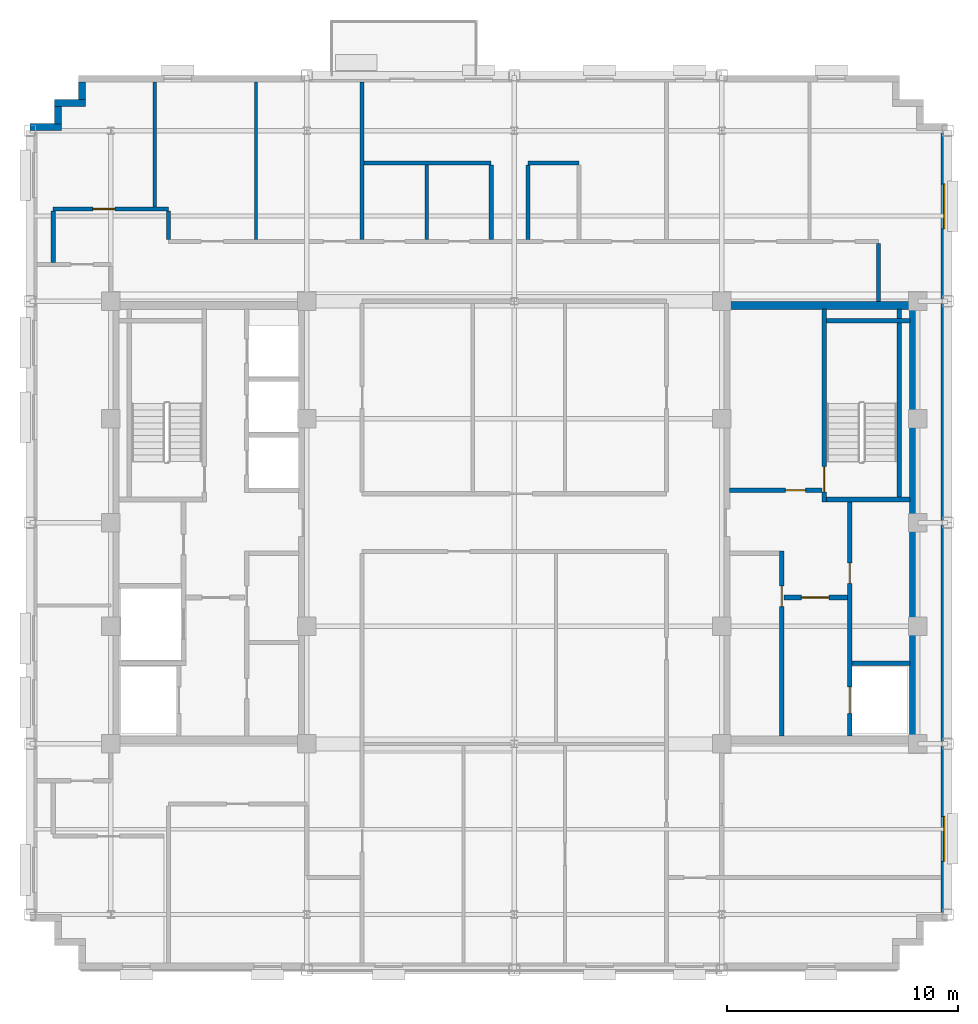
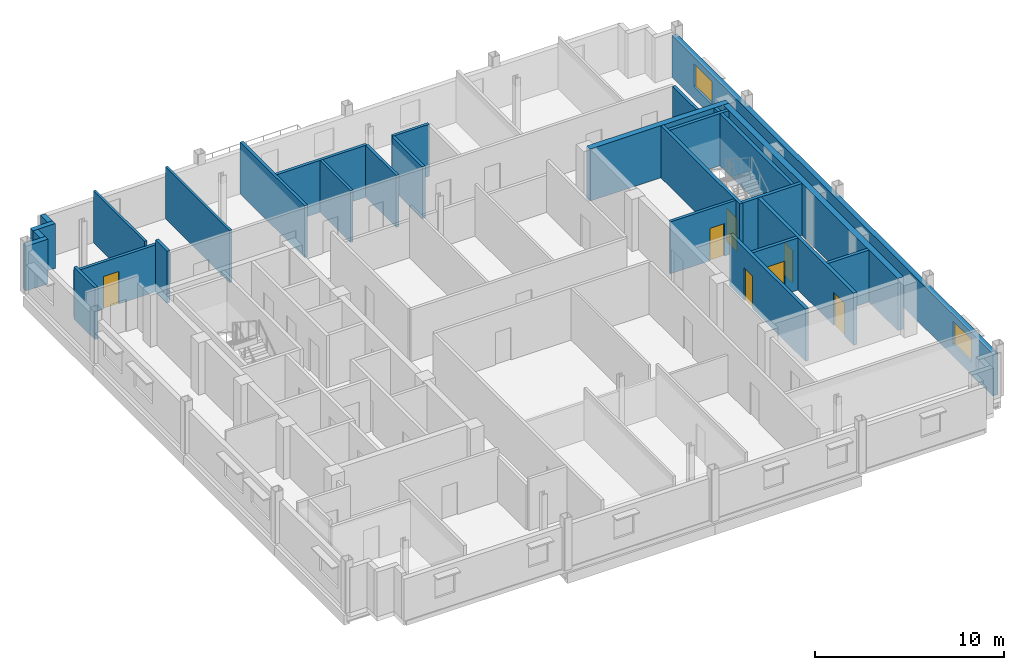
# One storey, part 8 of 14: 28 walls, 7 doors, 2 windows, 9 openings.
"""IFC4 building model written with IfcOpenShell, lengths in metres."""

from ifc_helpers import new_model, si_unit, direction, frame, frame_2d, origin, place, context, subcontext, project, spatial, rectangle, extrude, source, transform, mapped, material, layer, layer_set, type_object, type_shapes, element, fill, save


model = new_model("IFC4")

# Units and contexts
model_context = context("Model", 3, precision=1e-05, world=origin(), true_north=direction((0.0, 1.0)))
body_context = subcontext(model_context, "Body", "Model", "MODEL_VIEW")
ifc_project = project(units=[si_unit("LENGTHUNIT", "METRE"), si_unit("AREAUNIT", "SQUARE_METRE"), si_unit("VOLUMEUNIT", "CUBIC_METRE"), si_unit("PLANEANGLEUNIT", "RADIAN"), si_unit("MASSUNIT", "GRAM", prefix="KILO")], contexts=[model_context])

# Site, building, storey
site_placement = place(None, origin())
site = spatial("IfcSite", under=ifc_project, at=site_placement, CompositionType="ELEMENT")
building_placement = place(site_placement, origin())
building = spatial("IfcBuilding", under=site, at=building_placement, Name="Nuvemarco Arch Tower", CompositionType="ELEMENT")
storey_placement = place(building_placement, frame((0.0, 0.0, 272.550048828125)))
storey = spatial("IfcBuildingStorey", under=building, at=storey_placement, Name="L72", CompositionType="ELEMENT", Elevation=272.550048828125)

# Wall, openings, windows
ifc_material_1 = material(Name="Precast concrete C45/55", Category="concrete")
ifc_layer_1 = layer(ifc_material_1, 0.300048828125, Name="EW-HIGH-300")
ifc_layer_set_1 = layer_set([ifc_layer_1], Name="Precast concrete C45/55")
wall_type_1 = type_object("IfcWallType", Name="EW-HIGH-300", PredefinedType="STANDARD", material=ifc_layer_set_1)
wall_1_placement = place(storey_placement, frame((18.64990234375, -17.00390625, 0.0), z_axis=(0.0, 0.0, 1.0), x_axis=(0.0, 1.0, 0.0)))
wall_1 = element("IfcWall", 1, at=wall_1_placement, inside=storey, type_object=wall_type_1, Name="L72 exterior precast facade wall 6", PredefinedType="STANDARD", context=body_context, shape_type="SweptSolid", body=[
    extrude(rectangle(XDim=34.0078125, YDim=0.300048828125, at=frame_2d((17.00390625, 0.0))), origin(), (0.0, 0.0, 1.0), 2.704833984375),
])
opening_1_placement = place(wall_1_placement, frame((2.311279296875, 0.0, 0.800048828125)))
opening_1 = element("IfcOpeningElement", 2, at=opening_1_placement, cuts=wall_1, Name="Opening WN-7", PredefinedType="OPENING", context=body_context, shape_type="SweptSolid", body=[
    extrude(rectangle(XDim=1.949951171875, YDim=1.47998046875, at=frame_2d((0.97509765625, 0.739990234375))), frame((0.0, 0.159912109375, 0.0), z_axis=(0.0, -1.0, 0.0), x_axis=(1.0, 0.0, 0.0)), (0.0, 0.0, 1.0), 0.320068359375),
])
opening_2_placement = place(wall_1_placement, frame((29.74658203125, 0.0, 0.800048828125)))
opening_2 = element("IfcOpeningElement", 3, at=opening_2_placement, cuts=wall_1, Name="Opening WN-7", PredefinedType="OPENING", context=body_context, shape_type="SweptSolid", body=[
    extrude(rectangle(XDim=1.949951171875, YDim=1.47998046875, at=frame_2d((0.97509765625, 0.739990234375))), frame((0.0, 0.159912109375, 0.0), z_axis=(0.0, -1.0, 0.0), x_axis=(1.0, 0.0, 0.0)), (0.0, 0.0, 1.0), 0.320068359375),
])
ifc_material_2 = material(Name="Insulated solar-control glass", Category="glass")
window_type = type_object("IfcWindowType", Name="WN-HIGH-1950x1480", PartitioningType="DOUBLE_PANEL_VERTICAL", PredefinedType="WINDOW", material=ifc_material_2)
shared_shape_1 = source(origin(), body_context, "Body", "SweptSolid", [
    extrude(rectangle(XDim=1.949951171875, YDim=1.47998046875, at=frame_2d((0.97509765625, 0.739990234375))), frame((0.0, 0.030029296875, 0.0), z_axis=(0.0, -1.0, 0.0), x_axis=(1.0, 0.0, 0.0)), (0.0, 0.0, 1.0), 0.06005859375),
])
type_shapes(window_type, [shared_shape_1])
window_1_placement = place(opening_1_placement, origin())
window_1 = element("IfcWindow", 4, at=window_1_placement, inside=storey, type_object=window_type, Name="L72 punched facade window 1", OverallHeight=1.47998046875, OverallWidth=1.949951171875, PartitioningType="SINGLE_PANEL", PredefinedType="WINDOW", context=body_context, shape_type="MappedRepresentation", body=[
    mapped(shared_shape_1, transform((0.0, 0.0, 0.0), scale=1.0)),
])
fill(opening_1, window_1)
window_2_placement = place(opening_2_placement, origin())
window_2 = element("IfcWindow", 5, at=window_2_placement, inside=storey, type_object=window_type, Name="L72 punched facade window 7", OverallHeight=1.47998046875, OverallWidth=1.949951171875, PartitioningType="SINGLE_PANEL", PredefinedType="WINDOW", context=body_context, shape_type="MappedRepresentation", body=[
    mapped(shared_shape_1, transform((0.0, 0.0, 0.0), scale=1.0)),
])
fill(opening_2, window_2)

# Walls
wall_2_placement = place(storey_placement, frame((-18.75, 18.345947265625, 0.0), z_axis=(0.0, 0.0, 1.0), x_axis=(0.0, 1.0, 0.0)))
element("IfcWall", 6, at=wall_2_placement, inside=storey, type_object=wall_type_1, Name="L72 exterior precast facade wall 12", PredefinedType="STANDARD", context=body_context, shape_type="SweptSolid", body=[
    extrude(rectangle(XDim=0.758056640625, YDim=0.300048828125, at=frame_2d((0.37890625, 0.0))), origin(), (0.0, 0.0, 1.0), 2.891845703125),
])
wall_3_placement = place(storey_placement, frame((-19.949951171875, 18.199951171875, 0.0), z_axis=(0.0, 0.0, 1.0), x_axis=(1.0, 0.0, 0.0)))
element("IfcWall", 7, at=wall_3_placement, inside=storey, type_object=wall_type_1, Name="L72 exterior precast facade wall 13", PredefinedType="STANDARD", context=body_context, shape_type="SweptSolid", body=[
    extrude(rectangle(XDim=1.349853515625, YDim=0.300048828125, at=frame_2d((0.6748046875, 0.0))), origin(), (0.0, 0.0, 1.0), 2.891845703125),
])
wall_4_placement = place(storey_placement, frame((-19.800048828125, 17.2958984375, 0.0), z_axis=(0.0, 0.0, 1.0), x_axis=(0.0, 1.0, 0.0)))
element("IfcWall", 8, at=wall_4_placement, inside=storey, type_object=wall_type_1, Name="L72 exterior precast facade wall 14", PredefinedType="STANDARD", context=body_context, shape_type="SweptSolid", body=[
    extrude(rectangle(XDim=0.758056640625, YDim=0.300048828125, at=frame_2d((0.37890625, 0.0))), origin(), (0.0, 0.0, 1.0), 2.891845703125),
])
wall_5_placement = place(storey_placement, frame((-21.0, 17.14990234375, 0.0), z_axis=(0.0, 0.0, 1.0), x_axis=(1.0, 0.0, 0.0)))
element("IfcWall", 9, at=wall_5_placement, inside=storey, type_object=wall_type_1, Name="L72 exterior precast facade wall 15", PredefinedType="STANDARD", context=body_context, shape_type="SweptSolid", body=[
    extrude(rectangle(XDim=1.35009765625, YDim=0.300048828125, at=frame_2d((0.675048828125, 0.0))), origin(), (0.0, 0.0, 1.0), 2.891845703125),
])
ifc_material_3 = material(Name="Concrete C50/60", Category="concrete")
ifc_layer_2 = layer(ifc_material_3, 0.35009765625, Name="WL-CORE-350")
ifc_layer_set_2 = layer_set([ifc_layer_2], Name="Concrete C50/60")
wall_type_2 = type_object("IfcWallType", Name="WL-CORE-350", PredefinedType="SHEAR", material=ifc_layer_set_2)
wall_6_placement = place(storey_placement, frame((9.0, 9.425048828125, 0.0), z_axis=(0.0, 0.0, 1.0), x_axis=(1.0, 0.0, 0.0)))
element("IfcWall", 10, at=wall_6_placement, inside=storey, type_object=wall_type_2, Name="L72 E-core shear wall N", PredefinedType="SHEAR", context=body_context, shape_type="SweptSolid", body=[
    extrude(rectangle(XDim=8.5, YDim=0.35009765625, at=frame_2d((4.25, 0.0))), origin(), (0.0, 0.0, 1.0), 3.369873046875),
])
wall_7_placement = place(storey_placement, frame((17.324951171875, -9.2548828125, 0.0), z_axis=(0.0, 0.0, 1.0), x_axis=(0.0, 1.0, 0.0)))
element("IfcWall", 11, at=wall_7_placement, inside=storey, type_object=wall_type_2, Name="L72 E-core shear wall E", PredefinedType="SHEAR", context=body_context, shape_type="SweptSolid", body=[
    extrude(rectangle(XDim=18.509765625, YDim=0.35009765625, at=frame_2d((9.2548828125, 0.0))), origin(), (0.0, 0.0, 1.0), 3.369873046875),
])

# Wall, opening, door
ifc_material_4 = material(Name="Fire-rated gypsum drywall partition")
ifc_layer_3 = layer(ifc_material_4, 0.179931640625, Name="WL-CORR-180")
ifc_layer_set_3 = layer_set([ifc_layer_3], Name="Fire-rated gypsum drywall partition")
wall_type_3 = type_object("IfcWallType", Name="WL-CORR-180", PredefinedType="PARTITIONING", material=ifc_layer_set_3)
wall_8_placement = place(storey_placement, frame((9.344970703125, 1.39990234375, 0.0), z_axis=(0.0, 0.0, 1.0), x_axis=(1.0, 0.0, 0.0)))
wall_8 = element("IfcWall", 12, at=wall_8_placement, inside=storey, type_object=wall_type_3, Name="L72 interior wall IW-L72-EK-S", PredefinedType="PARTITIONING", context=body_context, shape_type="SweptSolid", body=[
    extrude(rectangle(XDim=4.0, YDim=0.179931640625, at=frame_2d((2.0, 0.0))), origin(), (0.0, 0.0, 1.0), 3.35986328125),
])
opening_3_placement = place(wall_8_placement, frame((2.4150390625, 0.0, 0.0)))
opening_3 = element("IfcOpeningElement", 13, at=opening_3_placement, cuts=wall_8, Name="Opening FD-4", PredefinedType="OPENING", context=body_context, shape_type="SweptSolid", body=[
    extrude(rectangle(XDim=0.8798828125, YDim=2.10009765625, at=frame_2d((0.43994140625, 1.050048828125))), frame((0.0, 0.099853515625, 0.0), z_axis=(0.0, -1.0, 0.0), x_axis=(1.0, 0.0, 0.0)), (0.0, 0.0, 1.0), 0.199951171875),
])
ifc_material_5 = material(Name="Anodised steel fire door", Category="steel")
door_type_1 = type_object("IfcDoorType", Name="DR-RISER-FD", OperationType="NOTDEFINED", PredefinedType="DOOR", material=ifc_material_5)
shared_shape_2 = source(origin(), body_context, "Body", "SweptSolid", [
    extrude(rectangle(XDim=0.8798828125, YDim=2.10009765625, at=frame_2d((0.43994140625, 1.050048828125))), frame((0.0, 0.02490234375, 0.0), z_axis=(0.0, -1.0, 0.0), x_axis=(1.0, 0.0, 0.0)), (0.0, 0.0, 1.0), 0.050048828125),
])
type_shapes(door_type_1, [shared_shape_2])
door_1_placement = place(opening_3_placement, origin())
door_1 = element("IfcDoor", 14, at=door_1_placement, inside=storey, type_object=door_type_1, Name="L72 door FD-L72-EK1A", OperationType="SINGLE_SWING_RIGHT", OverallHeight=2.10009765625, OverallWidth=0.8798828125, PredefinedType="DOOR", context=body_context, shape_type="MappedRepresentation", body=[
    mapped(shared_shape_2, transform((0.0, 0.0, 0.0), scale=1.0)),
])
fill(opening_3, door_1)

wall_9_placement = place(storey_placement, frame((-20.0, 13.60009765625, 0.0), z_axis=(0.0, 0.0, 1.0), x_axis=(1.0, 0.0, 0.0)))
wall_9 = element("IfcWall", 15, at=wall_9_placement, inside=storey, type_object=wall_type_3, Name="L72 interior wall IW-L72-015", PredefinedType="PARTITIONING", context=body_context, shape_type="SweptSolid", body=[
    extrude(rectangle(XDim=5.0, YDim=0.179931640625, at=frame_2d((2.5, 0.0))), origin(), (0.0, 0.0, 1.0), 3.037841796875),
])
opening_4_placement = place(wall_9_placement, frame((1.719970703125, 0.0, 0.0)))
opening_4 = element("IfcOpeningElement", 16, at=opening_4_placement, cuts=wall_9, Name="Opening FD-5", PredefinedType="OPENING", context=body_context, shape_type="SweptSolid", body=[
    extrude(rectangle(XDim=0.9599609375, YDim=2.10009765625, at=frame_2d((0.47998046875, 1.050048828125))), frame((0.0, 0.099853515625, 0.0), z_axis=(0.0, -1.0, 0.0), x_axis=(1.0, 0.0, 0.0)), (0.0, 0.0, 1.0), 0.199951171875),
])
ifc_material_6 = material(Name="Timber fire door", Category="wood")
door_type_2 = type_object("IfcDoorType", Name="DR-CORR-FD", OperationType="NOTDEFINED", PredefinedType="DOOR", material=ifc_material_6)
shared_shape_3 = source(origin(), body_context, "Body", "SweptSolid", [
    extrude(rectangle(XDim=0.9599609375, YDim=2.10009765625, at=frame_2d((0.47998046875, 1.050048828125))), frame((0.0, 0.02490234375, 0.0), z_axis=(0.0, -1.0, 0.0), x_axis=(1.0, 0.0, 0.0)), (0.0, 0.0, 1.0), 0.050048828125),
])
type_shapes(door_type_2, [shared_shape_3])
door_2_placement = place(opening_4_placement, origin())
door_2 = element("IfcDoor", 17, at=door_2_placement, inside=storey, type_object=door_type_2, Name="L72 door DR-L72-N_1", OperationType="SINGLE_SWING_LEFT", OverallHeight=2.10009765625, OverallWidth=0.9599609375, PredefinedType="DOOR", context=body_context, shape_type="MappedRepresentation", body=[
    mapped(shared_shape_3, transform((0.0, 0.0, 0.0), scale=1.0)),
])
fill(opening_4, door_2)

# Walls
wall_10_placement = place(storey_placement, frame((-6.529052734375, 15.60009765625, 0.0), z_axis=(0.0, 0.0, 1.0), x_axis=(1.0, 0.0, 0.0)))
element("IfcWall", 18, at=wall_10_placement, inside=storey, type_object=wall_type_3, Name="L72 interior wall IW-L72-016", PredefinedType="PARTITIONING", context=body_context, shape_type="SweptSolid", body=[
    extrude(rectangle(XDim=5.529052734375, YDim=0.179931640625, at=frame_2d((2.7646484375, 0.0))), origin(), (0.0, 0.0, 1.0), 3.35986328125),
])
wall_11_placement = place(storey_placement, frame((0.60009765625, 15.60009765625, 0.0), z_axis=(0.0, 0.0, 1.0), x_axis=(1.0, 0.0, 0.0)))
element("IfcWall", 19, at=wall_11_placement, inside=storey, type_object=wall_type_3, Name="L72 interior wall IW-L72-017", PredefinedType="PARTITIONING", context=body_context, shape_type="SweptSolid", body=[
    extrude(rectangle(XDim=2.199951171875, YDim=0.179931640625, at=frame_2d((1.10009765625, 0.0))), origin(), (0.0, 0.0, 1.0), 3.35986328125),
])
wall_12_placement = place(storey_placement, frame((-20.0, 11.285888671875, 0.0), z_axis=(0.0, 0.0, 1.0), x_axis=(0.0, 1.0, 0.0)))
element("IfcWall", 20, at=wall_12_placement, inside=storey, type_object=wall_type_3, Name="L72 interior wall IW-L72-019", PredefinedType="PARTITIONING", context=body_context, shape_type="SweptSolid", body=[
    extrude(rectangle(XDim=2.22802734375, YDim=0.179931640625, at=frame_2d((1.114013671875, 0.0))), origin(), (0.0, 0.0, 1.0), 3.35986328125),
])
wall_13_placement = place(storey_placement, frame((-15.0, 12.285888671875, 0.0), z_axis=(0.0, 0.0, 1.0), x_axis=(0.0, 1.0, 0.0)))
element("IfcWall", 21, at=wall_13_placement, inside=storey, type_object=wall_type_3, Name="L72 interior wall IW-L72-024", PredefinedType="PARTITIONING", context=body_context, shape_type="SweptSolid", body=[
    extrude(rectangle(XDim=1.22802734375, YDim=0.179931640625, at=frame_2d((0.614013671875, 0.0))), origin(), (0.0, 0.0, 1.0), 3.35986328125),
])
wall_14_placement = place(storey_placement, frame((-6.60009765625, 12.285888671875, 0.0), z_axis=(0.0, 0.0, 1.0), x_axis=(0.0, 1.0, 0.0)))
element("IfcWall", 22, at=wall_14_placement, inside=storey, type_object=wall_type_3, Name="L72 interior wall IW-L72-029", PredefinedType="PARTITIONING", context=body_context, shape_type="SweptSolid", body=[
    extrude(rectangle(XDim=6.814208984375, YDim=0.179931640625, at=frame_2d((3.4072265625, 0.0))), origin(), (0.0, 0.0, 1.0), 3.35986328125),
])
for number, where, z_axis, x_axis, name in (
    (23, (-1.0, 12.285888671875, 0.0), (0.0, 0.0, 1.0), (0.0, 1.0, 0.0), "L72 interior wall IW-L72-033"),
    (24, (0.60009765625, 12.285888671875, 0.0), (0.0, 0.0, 1.0), (0.0, 1.0, 0.0), "L72 interior wall IW-L72-034"),
):
    element("IfcWall", number, at=place(storey_placement, frame(where, z_axis=z_axis, x_axis=x_axis)), inside=storey, type_object=wall_type_3, Name=name, PredefinedType="PARTITIONING", context=body_context, shape_type="SweptSolid", body=[
        extrude(rectangle(XDim=3.22802734375, YDim=0.179931640625, at=frame_2d((1.614013671875, 0.0))), origin(), (0.0, 0.0, 1.0), 3.35986328125),
    ])
wall_15_placement = place(storey_placement, frame((15.800048828125, 9.60009765625, 0.0), z_axis=(0.0, 0.0, 1.0), x_axis=(0.0, 1.0, 0.0)))
element("IfcWall", 25, at=wall_15_placement, inside=storey, type_object=wall_type_3, Name="L72 interior wall IW-L72-044", PredefinedType="PARTITIONING", context=body_context, shape_type="SweptSolid", body=[
    extrude(rectangle(XDim=2.513916015625, YDim=0.179931640625, at=frame_2d((1.2568359375, 0.0))), origin(), (0.0, 0.0, 1.0), 3.35986328125),
])
ifc_material_7 = material(Name="Gypsum plasterboard partition")
ifc_layer_4 = layer(ifc_material_7, 0.139892578125, Name="WL-ROOM-140")
ifc_layer_set_4 = layer_set([ifc_layer_4], Name="Gypsum plasterboard partition")
wall_type_4 = type_object("IfcWallType", Name="WL-ROOM-140", PredefinedType="PARTITIONING", material=ifc_layer_set_4)
wall_16_placement = place(storey_placement, frame((-15.60009765625, 13.68603515625, 0.0), z_axis=(0.0, 0.0, 1.0), x_axis=(0.0, 1.0, 0.0)))
element("IfcWall", 26, at=wall_16_placement, inside=storey, type_object=wall_type_4, Name="L72 interior wall IW-L72-022", PredefinedType="PARTITIONING", context=body_context, shape_type="SweptSolid", body=[
    extrude(rectangle(XDim=5.4140625, YDim=0.139892578125, at=frame_2d((2.70703125, 0.0))), origin(), (0.0, 0.0, 1.0), 3.35986328125),
])
wall_17_placement = place(storey_placement, frame((-11.199951171875, 12.285888671875, 0.0), z_axis=(0.0, 0.0, 1.0), x_axis=(0.0, 1.0, 0.0)))
element("IfcWall", 27, at=wall_17_placement, inside=storey, type_object=wall_type_4, Name="L72 interior wall IW-L72-025", PredefinedType="PARTITIONING", context=body_context, shape_type="SweptSolid", body=[
    extrude(rectangle(XDim=6.814208984375, YDim=0.139892578125, at=frame_2d((3.4072265625, 0.0))), origin(), (0.0, 0.0, 1.0), 3.35986328125),
])

# Wall, opening, door
ifc_layer_5 = layer(ifc_material_3, 0.199951171875, Name="WL-SHAFT-220")
ifc_layer_set_5 = layer_set([ifc_layer_5], Name="Concrete C50/60")
wall_type_5 = type_object("IfcWallType", Name="WL-SHAFT-220", PredefinedType="SHEAR", material=ifc_layer_set_5)
wall_18_placement = place(storey_placement, frame((13.43994140625, 0.89990234375, 0.0), z_axis=(0.0, 0.0, 1.0), x_axis=(0.0, 1.0, 0.0)))
wall_18 = element("IfcWall", 28, at=wall_18_placement, inside=storey, type_object=wall_type_5, Name="L72 structural shaft wall SW-L72-E-ST2W", PredefinedType="SHEAR", context=body_context, shape_type="SweptSolid", body=[
    extrude(rectangle(XDim=8.35498046875, YDim=0.199951171875, at=frame_2d((4.177490234375, 0.0))), origin(), (0.0, 0.0, 1.0), 3.369873046875),
])
opening_5_placement = place(wall_18_placement, frame((0.429931640625, 0.0, 0.0)))
opening_5 = element("IfcOpeningElement", 29, at=opening_5_placement, cuts=wall_18, Name="Opening FD-1", PredefinedType="OPENING", context=body_context, shape_type="SweptSolid", body=[
    extrude(rectangle(XDim=1.10009765625, YDim=2.14990234375, at=frame_2d((0.550048828125, 1.074951171875))), frame((0.0, 0.10986328125, 0.0), z_axis=(0.0, -1.0, 0.0), x_axis=(1.0, 0.0, 0.0)), (0.0, 0.0, 1.0), 0.219970703125),
])
door_type_3 = type_object("IfcDoorType", Name="DR-STAIR-FD", OperationType="NOTDEFINED", PredefinedType="DOOR", material=ifc_material_5)
shared_shape_4 = source(origin(), body_context, "Body", "SweptSolid", [
    extrude(rectangle(XDim=1.10009765625, YDim=2.14990234375, at=frame_2d((0.550048828125, 1.074951171875))), frame((0.0, 0.02490234375, 0.0), z_axis=(0.0, -1.0, 0.0), x_axis=(1.0, 0.0, 0.0)), (0.0, 0.0, 1.0), 0.050048828125),
])
type_shapes(door_type_3, [shared_shape_4])
door_3_placement = place(opening_5_placement, origin())
door_3 = element("IfcDoor", 30, at=door_3_placement, inside=storey, type_object=door_type_3, Name="L72 door FD-L72-ST2", OperationType="SINGLE_SWING_RIGHT", OverallHeight=2.14990234375, OverallWidth=1.10009765625, PredefinedType="DOOR", context=body_context, shape_type="MappedRepresentation", body=[
    mapped(shared_shape_4, transform((0.0, 0.0, 0.0), scale=1.0)),
])
fill(opening_5, door_3)

# Walls
for number, where, z_axis, x_axis, name in (
    (31, (13.534912109375, 1.0, 0.0), (0.0, 0.0, 1.0), (1.0, 0.0, 0.0), "L72 structural shaft wall SW-L72-E-ST2S"),
    (32, (13.534912109375, 8.75, 0.0), (0.0, 0.0, 1.0), (1.0, 0.0, 0.0), "L72 structural shaft wall SW-L72-E-ST2N"),
):
    element("IfcWall", number, at=place(storey_placement, frame(where, z_axis=z_axis, x_axis=x_axis)), inside=storey, type_object=wall_type_5, Name=name, PredefinedType="SHEAR", context=body_context, shape_type="SweptSolid", body=[
        extrude(rectangle(XDim=3.6201171875, YDim=0.199951171875, at=frame_2d((1.81005859375, 0.0))), origin(), (0.0, 0.0, 1.0), 3.369873046875),
    ])
wall_19_placement = place(storey_placement, frame((16.699951171875, 1.094970703125, 0.0), z_axis=(0.0, 0.0, 1.0), x_axis=(0.0, 1.0, 0.0)))
element("IfcWall", 33, at=wall_19_placement, inside=storey, type_object=wall_type_5, Name="L72 structural shaft wall SW-L72-E-ST2E", PredefinedType="SHEAR", context=body_context, shape_type="SweptSolid", body=[
    extrude(rectangle(XDim=8.159912109375, YDim=0.199951171875, at=frame_2d((4.080078125, 0.0))), origin(), (0.0, 0.0, 1.0), 3.369873046875),
])

# Wall, openings, doors
wall_20_placement = place(storey_placement, frame((14.550048828125, -9.2548828125, 0.0), z_axis=(0.0, 0.0, 1.0), x_axis=(0.0, 1.0, 0.0)))
wall_20 = element("IfcWall", 34, at=wall_20_placement, inside=storey, type_object=wall_type_5, Name="L72 structural shaft wall SW-L72-E-SHW", PredefinedType="SHEAR", context=body_context, shape_type="SweptSolid", body=[
    extrude(rectangle(XDim=10.159912109375, YDim=0.199951171875, at=frame_2d((5.080078125, 0.0))), origin(), (0.0, 0.0, 1.0), 3.369873046875),
])
opening_6_placement = place(wall_20_placement, frame((6.614990234375, 0.0, 0.0)))
opening_6 = element("IfcOpeningElement", 35, at=opening_6_placement, cuts=wall_20, Name="Opening FD-4", PredefinedType="OPENING", context=body_context, shape_type="SweptSolid", body=[
    extrude(rectangle(XDim=0.8798828125, YDim=2.10009765625, at=frame_2d((0.43994140625, 1.050048828125))), frame((0.0, 0.10986328125, 0.0), z_axis=(0.0, -1.0, 0.0), x_axis=(1.0, 0.0, 0.0)), (0.0, 0.0, 1.0), 0.219970703125),
])
opening_7_placement = place(wall_20_placement, frame((0.97998046875, 0.0, 0.0)))
opening_7 = element("IfcOpeningElement", 36, at=opening_7_placement, cuts=wall_20, Name="Opening LD-2", PredefinedType="OPENING", context=body_context, shape_type="SweptSolid", body=[
    extrude(rectangle(XDim=1.14990234375, YDim=2.14990234375, at=frame_2d((0.574951171875, 1.074951171875))), frame((0.0, 0.10986328125, 0.0), z_axis=(0.0, -1.0, 0.0), x_axis=(1.0, 0.0, 0.0)), (0.0, 0.0, 1.0), 0.219970703125),
])
door_4_placement = place(opening_6_placement, origin())
door_4 = element("IfcDoor", 37, at=door_4_placement, inside=storey, type_object=door_type_1, Name="L72 door FD-L72-ERIS", OperationType="SINGLE_SWING_RIGHT", OverallHeight=2.10009765625, OverallWidth=0.8798828125, PredefinedType="DOOR", context=body_context, shape_type="MappedRepresentation", body=[
    mapped(shared_shape_2, transform((0.0, 0.0, 0.0), scale=1.0)),
])
fill(opening_6, door_4)
ifc_material_8 = material(Name="Stainless steel lift door", Category="steel")
door_type_4 = type_object("IfcDoorType", Name="DR-LIFT-FIRE", OperationType="DOUBLE_DOOR_SLIDING", PredefinedType="DOOR", material=ifc_material_8)
shared_shape_5 = source(origin(), body_context, "Body", "SweptSolid", [
    extrude(rectangle(XDim=1.14990234375, YDim=2.14990234375, at=frame_2d((0.574951171875, 1.074951171875))), frame((0.0, 0.02490234375, 0.0), z_axis=(0.0, -1.0, 0.0), x_axis=(1.0, 0.0, 0.0)), (0.0, 0.0, 1.0), 0.050048828125),
])
type_shapes(door_type_4, [shared_shape_5])
door_5_placement = place(opening_7_placement, origin())
door_5 = element("IfcDoor", 38, at=door_5_placement, inside=storey, type_object=door_type_4, Name="L72 Lift landing sliding door FFL-2", OperationType="DOUBLE_DOOR_SLIDING", OverallHeight=2.14990234375, OverallWidth=1.14990234375, PredefinedType="DOOR", context=body_context, shape_type="MappedRepresentation", body=[
    mapped(shared_shape_5, transform((0.0, 0.0, 0.0), scale=1.0)),
])
fill(opening_7, door_5)

# Wall
wall_21_placement = place(storey_placement, frame((14.64501953125, -6.10009765625, 0.0), z_axis=(0.0, 0.0, 1.0), x_axis=(1.0, 0.0, 0.0)))
element("IfcWall", 39, at=wall_21_placement, inside=storey, type_object=wall_type_5, Name="L72 structural shaft wall SW-L72-E-SH1", PredefinedType="SHEAR", context=body_context, shape_type="SweptSolid", body=[
    extrude(rectangle(XDim=2.510009765625, YDim=0.199951171875, at=frame_2d((1.2548828125, 0.0))), origin(), (0.0, 0.0, 1.0), 3.369873046875),
])

# Wall, opening, door
wall_22_placement = place(storey_placement, frame((11.60009765625, -9.2548828125, 0.0), z_axis=(0.0, 0.0, 1.0), x_axis=(0.0, 1.0, 0.0)))
wall_22 = element("IfcWall", 40, at=wall_22_placement, inside=storey, type_object=wall_type_5, Name="L72 structural shaft wall SW-L72-E-PME", PredefinedType="SHEAR", context=body_context, shape_type="SweptSolid", body=[
    extrude(rectangle(XDim=8.02490234375, YDim=0.199951171875, at=frame_2d((4.012451171875, 0.0))), origin(), (0.0, 0.0, 1.0), 3.369873046875),
])
opening_8_placement = place(wall_22_placement, frame((5.614990234375, 0.0, 0.0)))
opening_8 = element("IfcOpeningElement", 41, at=opening_8_placement, cuts=wall_22, Name="Opening FD-4", PredefinedType="OPENING", context=body_context, shape_type="SweptSolid", body=[
    extrude(rectangle(XDim=0.8798828125, YDim=2.10009765625, at=frame_2d((0.43994140625, 1.050048828125))), frame((0.0, 0.10986328125, 0.0), z_axis=(0.0, -1.0, 0.0), x_axis=(1.0, 0.0, 0.0)), (0.0, 0.0, 1.0), 0.219970703125),
])
door_6_placement = place(opening_8_placement, origin())
door_6 = element("IfcDoor", 42, at=door_6_placement, inside=storey, type_object=door_type_1, Name="L72 door FD-L72-ERECPM", OperationType="SINGLE_SWING_LEFT", OverallHeight=2.10009765625, OverallWidth=0.8798828125, PredefinedType="DOOR", context=body_context, shape_type="MappedRepresentation", body=[
    mapped(shared_shape_2, transform((0.0, 0.0, 0.0), scale=1.0)),
])
fill(opening_8, door_6)

wall_23_placement = place(storey_placement, frame((11.695068359375, -3.25, 0.0), z_axis=(0.0, 0.0, 1.0), x_axis=(1.0, 0.0, 0.0)))
wall_23 = element("IfcWall", 43, at=wall_23_placement, inside=storey, type_object=wall_type_5, Name="L72 structural shaft wall SW-L72-E-FFN", PredefinedType="SHEAR", context=body_context, shape_type="SweptSolid", body=[
    extrude(rectangle(XDim=2.760009765625, YDim=0.199951171875, at=frame_2d((1.3798828125, 0.0))), origin(), (0.0, 0.0, 1.0), 3.369873046875),
])
opening_9_placement = place(wall_23_placement, frame((0.7548828125, 0.0, 0.0)))
opening_9 = element("IfcOpeningElement", 44, at=opening_9_placement, cuts=wall_23, Name="Opening FD-2", PredefinedType="OPENING", context=body_context, shape_type="SweptSolid", body=[
    extrude(rectangle(XDim=1.199951171875, YDim=2.14990234375, at=frame_2d((0.60009765625, 1.074951171875))), frame((0.0, 0.10986328125, 0.0), z_axis=(0.0, -1.0, 0.0), x_axis=(1.0, 0.0, 0.0)), (0.0, 0.0, 1.0), 0.219970703125),
])
door_type_5 = type_object("IfcDoorType", Name="DR-FFLOB-FD", OperationType="NOTDEFINED", PredefinedType="DOOR", material=ifc_material_5)
shared_shape_6 = source(origin(), body_context, "Body", "SweptSolid", [
    extrude(rectangle(XDim=1.199951171875, YDim=2.14990234375, at=frame_2d((0.60009765625, 1.074951171875))), frame((0.0, 0.02490234375, 0.0), z_axis=(0.0, -1.0, 0.0), x_axis=(1.0, 0.0, 0.0)), (0.0, 0.0, 1.0), 0.050048828125),
])
type_shapes(door_type_5, [shared_shape_6])
door_7_placement = place(opening_9_placement, origin())
door_7 = element("IfcDoor", 45, at=door_7_placement, inside=storey, type_object=door_type_5, Name="L72 door FD-L72-EFF2", OperationType="SINGLE_SWING_RIGHT", OverallHeight=2.14990234375, OverallWidth=1.199951171875, PredefinedType="DOOR", context=body_context, shape_type="MappedRepresentation", body=[
    mapped(shared_shape_6, transform((0.0, 0.0, 0.0), scale=1.0)),
])
fill(opening_9, door_7)

# Wall
ifc_material_9 = material(Name="Moisture-resistant gypsum partition")
ifc_layer_6 = layer(ifc_material_9, 0.14990234375, Name="WL-WET-150")
ifc_layer_set_6 = layer_set([ifc_layer_6], Name="Moisture-resistant gypsum partition")
wall_type_6 = type_object("IfcWallType", Name="WL-WET-150", PredefinedType="PARTITIONING", material=ifc_layer_set_6)
wall_24_placement = place(storey_placement, frame((-3.800048828125, 12.285888671875, 0.0), z_axis=(0.0, 0.0, 1.0), x_axis=(0.0, 1.0, 0.0)))
element("IfcWall", 46, at=wall_24_placement, inside=storey, type_object=wall_type_6, Name="L72 interior wall IW-L72-030", PredefinedType="PARTITIONING", context=body_context, shape_type="SweptSolid", body=[
    extrude(rectangle(XDim=3.22802734375, YDim=0.14990234375, at=frame_2d((1.614013671875, 0.0))), origin(), (0.0, 0.0, 1.0), 3.35986328125),
])

save(model, "model.ifc")
